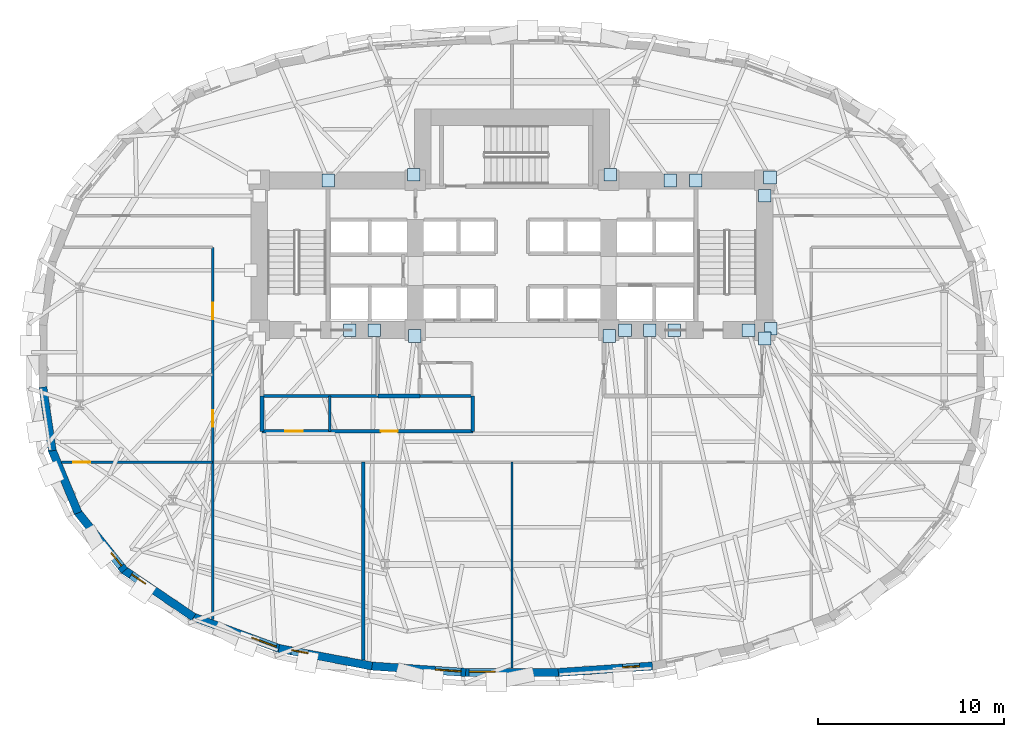
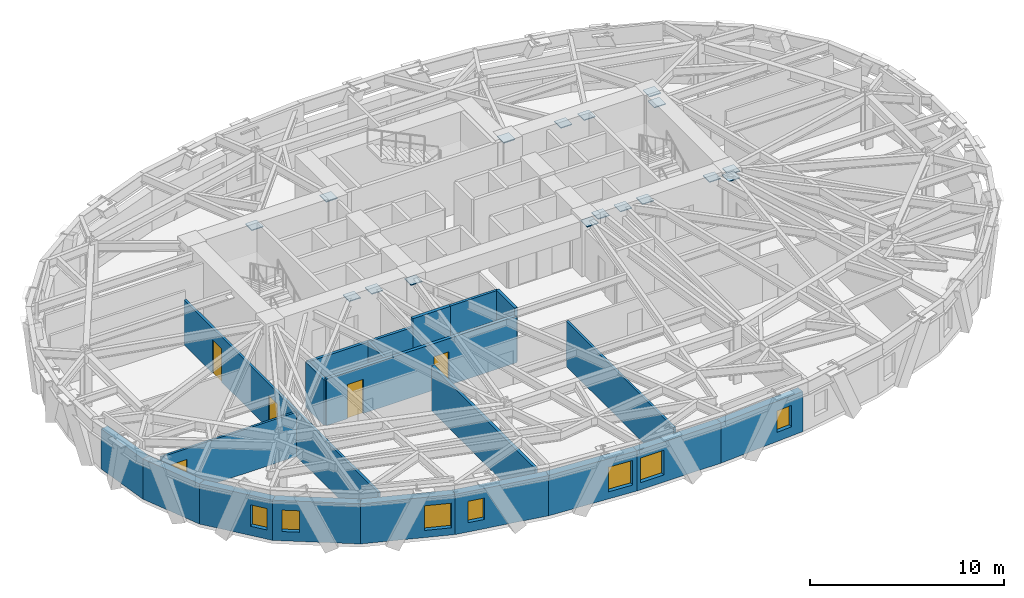
# One storey, part 5 of 13: 20 walls, 17 plates, 7 windows, 5 doors, 12 openings.
"""IFC4 building model written with IfcOpenShell, lengths in metres."""

from ifc_helpers import new_model, si_unit, direction, frame, frame_2d, origin, origin_2d, place, context, subcontext, project, spatial, rectangle, extrude, material, layer, layer_set, type_object, element, fill, save


model = new_model("IFC4")

# Units and contexts
model_context = context("Model", 3, precision=1e-05, world=origin(), true_north=direction((0.0, 1.0)))
body_context = subcontext(model_context, "Body", "Model", "MODEL_VIEW")
ifc_project = project(units=[si_unit("LENGTHUNIT", "METRE"), si_unit("AREAUNIT", "SQUARE_METRE"), si_unit("VOLUMEUNIT", "CUBIC_METRE"), si_unit("PLANEANGLEUNIT", "RADIAN"), si_unit("MASSUNIT", "GRAM", prefix="KILO")], contexts=[model_context])

# Site, building, storey
site_placement = place(None, origin())
site = spatial("IfcSite", under=ifc_project, at=site_placement, CompositionType="ELEMENT")
building_placement = place(site_placement, origin())
building = spatial("IfcBuilding", under=site, at=building_placement, Name="Keldmark Tower", CompositionType="ELEMENT")
storey_placement = place(building_placement, frame((0.0, 0.0, 30.60009765625)))
storey = spatial("IfcBuildingStorey", under=building, at=storey_placement, Name="L07", CompositionType="ELEMENT", Elevation=30.60009765625)

# Plates
ifc_material_1 = material(Name="Steel ASTM A572 Grade 50", Category="steel")
ifc_layer_1 = layer(ifc_material_1, 0.06005859375)
ifc_layer_set_1 = layer_set([ifc_layer_1], Name="Steel ASTM A572 Grade 50")
plate_type = type_object("IfcPlateType", Name="Belt Truss Kink Node Assembly KN01 60 mm", PredefinedType="USERDEFINED", material=ifc_layer_set_1)
for number, where, z_axis, x_axis, name in (
    (1, (13.91162109375, 1.473388671875, 3.09814453125), (0.0, 0.0, 1.0), (1.0, 0.0, 0.0), "L07 Core Wall Cast-In Embed Plate 155"),
    (2, (13.878173828125, 9.608154296875, 3.09814453125), (0.0, 0.0, 1.0), (1.0, 0.0, 0.0), "L07 Core Wall Cast-In Embed Plate 156"),
    (3, (5.28515625, 9.758544921875, 3.09814453125), (0.0, 0.0, 1.0), (1.0, 0.0, 0.0), "L07 Core Wall Cast-In Embed Plate 157"),
    (4, (-5.28515625, 9.758544921875, 3.09814453125), (0.0, 0.0, 1.0), (1.0, 0.0, 0.0), "L07 Core Wall Cast-In Embed Plate 158"),
    (5, (-5.24072265625, 1.08251953125, 3.09814453125), (0.0, 0.0, 1.0), (1.0, 0.0, 0.0), "L07 Core Wall Cast-In Embed Plate 161"),
    (6, (5.24072265625, 1.08251953125, 3.09814453125), (0.0, 0.0, 1.0), (1.0, 0.0, 0.0), "L07 Core Wall Cast-In Embed Plate 162"),
    (7, (13.60009765625, 0.949951171875, 3.10400390625), (0.0, 0.0, 1.0), (1.0, 0.0, 0.0), "L07 Core Wall Cast-In Embed Plate 165"),
    (8, (13.60009765625, 8.621337890625, 3.10400390625), (0.0, 0.0, 1.0), (1.0, 0.0, 0.0), "L07 Core Wall Cast-In Embed Plate 166"),
    (9, (9.892822265625, 9.449951171875, 3.10400390625), (0.0, 0.0, 1.0), (1.0, 0.0, 0.0), "L07 Core Wall Cast-In Embed Plate 167"),
    (10, (8.507080078125, 9.449951171875, 3.10400390625), (0.0, 0.0, 1.0), (1.0, 0.0, 0.0), "L07 Core Wall Cast-In Embed Plate 168"),
    (11, (-9.892822265625, 9.449951171875, 3.10400390625), (0.0, 0.0, 1.0), (1.0, 0.0, 0.0), "L07 Core Wall Cast-In Embed Plate 169"),
    (12, (-8.735595703125, 1.39990234375, 3.10400390625), (0.0, 0.0, 1.0), (1.0, 0.0, 0.0), "L07 Core Wall Cast-In Embed Plate 171"),
    (13, (-7.406982421875, 1.39990234375, 3.10400390625), (0.0, 0.0, 1.0), (1.0, 0.0, 0.0), "L07 Core Wall Cast-In Embed Plate 172"),
    (14, (7.406982421875, 1.39990234375, 3.10400390625), (0.0, 0.0, 1.0), (1.0, 0.0, 0.0), "L07 Core Wall Cast-In Embed Plate 173"),
    (15, (6.07861328125, 1.39990234375, 3.10400390625), (0.0, 0.0, 1.0), (1.0, 0.0, 0.0), "L07 Core Wall Cast-In Embed Plate 174"),
    (16, (8.735595703125, 1.39990234375, 3.10400390625), (0.0, 0.0, 1.0), (1.0, 0.0, 0.0), "L07 Core Wall Cast-In Embed Plate 175"),
    (17, (12.721435546875, 1.39990234375, 3.10400390625), (0.0, 0.0, 1.0), (1.0, 0.0, 0.0), "L07 Core Wall Cast-In Embed Plate 176"),
):
    element("IfcPlate", number, at=place(storey_placement, frame(where, z_axis=z_axis, x_axis=x_axis)), inside=storey, type_object=plate_type, Name=name, ObjectType="CAP PLATE", PredefinedType="USERDEFINED", context=body_context, shape_type="SweptSolid", body=[
        extrude(rectangle(XDim=0.679931640625, YDim=0.679931640625, at=origin_2d()), origin(), (0.0, 0.0, 1.0), 0.054931640625),
    ])

# Wall, openings, doors
ifc_material_2 = material(Name="Acoustic Double-Layer Gypsum Corridor Partition", Category="gypsum")
ifc_layer_2 = layer(ifc_material_2, 0.139892578125)
ifc_layer_set_2 = layer_set([ifc_layer_2], Name="Acoustic Double-Layer Gypsum Corridor Partition")
wall_type_1 = type_object("IfcWallType", Name="Acoustic Corridor Partition 140 mm", PredefinedType="PARTITIONING", material=ifc_layer_set_2)
wall_1_placement = place(storey_placement, frame((-16.10009765625, -14.1748046875, 0.0), z_axis=(0.0, 0.0, 1.0), x_axis=(0.0, 1.0, 0.0)))
wall_1 = element("IfcWall", 18, at=wall_1_placement, inside=storey, type_object=wall_type_1, Name="L07 Acoustic Corridor Partition 140 mm COR-W", PredefinedType="PARTITIONING", context=body_context, shape_type="SweptSolid", body=[
    extrude(rectangle(XDim=20.02490234375, YDim=0.139892578125, at=frame_2d((10.012451171875, 0.0))), origin(), (0.0, 0.0, 1.0), 2.8408203125),
])
opening_1_placement = place(wall_1_placement, frame((10.375244140625, 0.0, 0.0)))
opening_1 = element("IfcOpeningElement", 19, at=opening_1_placement, cuts=wall_1, Name="Opening D-IN090", PredefinedType="OPENING", context=body_context, shape_type="SweptSolid", body=[
    extrude(rectangle(XDim=0.89990234375, YDim=2.10009765625, at=frame_2d((0.449951171875, 1.050048828125))), frame((0.0, 0.079833984375, 0.0), z_axis=(0.0, -1.0, 0.0), x_axis=(1.0, 0.0, 0.0)), (0.0, 0.0, 1.0), 0.159912109375),
])
opening_2_placement = place(wall_1_placement, frame((16.150390625, 0.0, 0.0)))
opening_2 = element("IfcOpeningElement", 20, at=opening_2_placement, cuts=wall_1, Name="Opening D-IN090", PredefinedType="OPENING", context=body_context, shape_type="SweptSolid", body=[
    extrude(rectangle(XDim=0.89990234375, YDim=2.10009765625, at=frame_2d((0.449951171875, 1.050048828125))), frame((0.0, 0.079833984375, 0.0), z_axis=(0.0, -1.0, 0.0), x_axis=(1.0, 0.0, 0.0)), (0.0, 0.0, 1.0), 0.159912109375),
])
ifc_material_3 = material(Name="Stained American White Oak Veneer", Category="wood")
door_type_1 = type_object("IfcDoorType", Name="Interior Door 900x2100", OperationType="NOTDEFINED", PredefinedType="DOOR", material=ifc_material_3)
door_1_placement = place(opening_1_placement, origin())
door_1 = element("IfcDoor", 21, at=door_1_placement, inside=storey, type_object=door_type_1, Name="L07 Interior Door 900x2100 D-WR-1-L07", OperationType="SINGLE_SWING_LEFT", OverallHeight=2.10009765625, OverallWidth=0.89990234375, PredefinedType="DOOR", context=body_context, shape_type="SweptSolid", body=[
    extrude(rectangle(XDim=0.89990234375, YDim=2.10009765625, at=frame_2d((0.449951171875, 1.050048828125))), frame((0.0, 0.02490234375, 0.0), z_axis=(0.0, -1.0, 0.0), x_axis=(1.0, 0.0, 0.0)), (0.0, 0.0, 1.0), 0.050048828125),
])
fill(opening_1, door_1)
door_2_placement = place(opening_2_placement, origin())
door_2 = element("IfcDoor", 22, at=door_2_placement, inside=storey, type_object=door_type_1, Name="L07 Interior Door 900x2100 D-WR-2-L07", OperationType="SINGLE_SWING_RIGHT", OverallHeight=2.10009765625, OverallWidth=0.89990234375, PredefinedType="DOOR", context=body_context, shape_type="SweptSolid", body=[
    extrude(rectangle(XDim=0.89990234375, YDim=2.10009765625, at=frame_2d((0.449951171875, 1.050048828125))), frame((0.0, 0.02490234375, 0.0), z_axis=(0.0, -1.0, 0.0), x_axis=(1.0, 0.0, 0.0)), (0.0, 0.0, 1.0), 0.050048828125),
])
fill(opening_2, door_2)

# Wall
ifc_material_4 = material(Name="STC-58 Insulated Tenant Demising Gypsum Partition", Category="gypsum")
ifc_layer_3 = layer(ifc_material_4, 0.175048828125)
ifc_layer_set_3 = layer_set([ifc_layer_3], Name="STC-58 Insulated Tenant Demising Gypsum Partition")
wall_type_2 = type_object("IfcWallType", Name="Demising Suite Partition 175 mm", PredefinedType="PARTITIONING", material=ifc_layer_set_3)
wall_2_placement = place(storey_placement, frame((-8.0, -16.355224609375, 0.0), z_axis=(0.0, 0.0, 1.0), x_axis=(0.0, 1.0, 0.0)))
element("IfcWall", 23, at=wall_2_placement, inside=storey, type_object=wall_type_2, Name="L07 Demising Suite Partition 175 mm S-DIV-1", PredefinedType="PARTITIONING", context=body_context, shape_type="SweptSolid", body=[
    extrude(rectangle(XDim=10.6552734375, YDim=0.175048828125, at=frame_2d((5.32763671875, 0.0))), origin(), (0.0, 0.0, 1.0), 2.852783203125),
])

# Wall, openings, doors
ifc_material_5 = material(Name="Heavy Acoustic Plumbing Chase Gypsum Assembly", Category="gypsum")
ifc_layer_4 = layer(ifc_material_5, 0.18994140625)
ifc_layer_set_4 = layer_set([ifc_layer_4], Name="Heavy Acoustic Plumbing Chase Gypsum Assembly")
wall_type_3 = type_object("IfcWallType", Name="Heavy Wet Wall 190 mm", PredefinedType="PLUMBINGWALL", material=ifc_layer_set_4)
wall_3_placement = place(storey_placement, frame((-13.449951171875, -4.050048828125, 0.0), z_axis=(0.0, 0.0, 1.0), x_axis=(1.0, 0.0, 0.0)))
wall_3 = element("IfcWall", 24, at=wall_3_placement, inside=storey, type_object=wall_type_3, Name="L07 Heavy Wet Wall 190 mm SPK-W-S", PredefinedType="PLUMBINGWALL", context=body_context, shape_type="SweptSolid", body=[
    extrude(rectangle(XDim=11.349853515625, YDim=0.18994140625, at=frame_2d((5.6748046875, 0.0))), origin(), (0.0, 0.0, 1.0), 2.932861328125),
])
opening_3_placement = place(wall_3_placement, frame((1.25, 0.0, 0.0)))
opening_3 = element("IfcOpeningElement", 25, at=opening_3_placement, cuts=wall_3, Name="Opening D-AWC95", PredefinedType="OPENING", context=body_context, shape_type="SweptSolid", body=[
    extrude(rectangle(XDim=0.949951171875, YDim=2.14990234375, at=frame_2d((0.47509765625, 1.074951171875))), frame((0.0, 0.10498046875, 0.0), z_axis=(0.0, -1.0, 0.0), x_axis=(1.0, 0.0, 0.0)), (0.0, 0.0, 1.0), 0.2099609375),
])
opening_4_placement = place(wall_3_placement, frame((6.39990234375, 0.0, 0.0)))
opening_4 = element("IfcOpeningElement", 26, at=opening_4_placement, cuts=wall_3, Name="Opening D-IN090", PredefinedType="OPENING", context=body_context, shape_type="SweptSolid", body=[
    extrude(rectangle(XDim=0.89990234375, YDim=2.10009765625, at=frame_2d((0.449951171875, 1.050048828125))), frame((0.0, 0.10498046875, 0.0), z_axis=(0.0, -1.0, 0.0), x_axis=(1.0, 0.0, 0.0)), (0.0, 0.0, 1.0), 0.2099609375),
])
ifc_material_6 = material(Name="Painted Solid-Core Architectural Wood", Category="wood")
door_type_2 = type_object("IfcDoorType", Name="Accessible WC Door 950x2150", OperationType="NOTDEFINED", PredefinedType="DOOR", material=ifc_material_6)
door_3_placement = place(opening_3_placement, origin())
door_3 = element("IfcDoor", 27, at=door_3_placement, inside=storey, type_object=door_type_2, Name="L07 Accessible WC Door 950x2150 D-SPKW1-L07", OperationType="SINGLE_SWING_LEFT", OverallHeight=2.14990234375, OverallWidth=0.949951171875, PredefinedType="DOOR", context=body_context, shape_type="SweptSolid", body=[
    extrude(rectangle(XDim=0.949951171875, YDim=2.14990234375, at=frame_2d((0.47509765625, 1.074951171875))), frame((0.0, 0.02490234375, 0.0), z_axis=(0.0, -1.0, 0.0), x_axis=(1.0, 0.0, 0.0)), (0.0, 0.0, 1.0), 0.050048828125),
])
fill(opening_3, door_3)
door_4_placement = place(opening_4_placement, origin())
door_4 = element("IfcDoor", 28, at=door_4_placement, inside=storey, type_object=door_type_1, Name="L07 Interior Door 900x2100 D-SPKW2-L07", OperationType="SINGLE_SWING_RIGHT", OverallHeight=2.10009765625, OverallWidth=0.89990234375, PredefinedType="DOOR", context=body_context, shape_type="SweptSolid", body=[
    extrude(rectangle(XDim=0.89990234375, YDim=2.10009765625, at=frame_2d((0.449951171875, 1.050048828125))), frame((0.0, 0.02490234375, 0.0), z_axis=(0.0, -1.0, 0.0), x_axis=(1.0, 0.0, 0.0)), (0.0, 0.0, 1.0), 0.050048828125),
])
fill(opening_4, door_4)

# Walls
wall_4_placement = place(storey_placement, frame((-13.449951171875, -4.050048828125, 0.0), z_axis=(0.0, 0.0, 1.0), x_axis=(0.0, 1.0, 0.0)))
element("IfcWall", 29, at=wall_4_placement, inside=storey, type_object=wall_type_3, Name="L07 Heavy Wet Wall 190 mm SPK-W-W", PredefinedType="PLUMBINGWALL", context=body_context, shape_type="SweptSolid", body=[
    extrude(rectangle(XDim=1.900146484375, YDim=0.18994140625, at=frame_2d((0.9501953125, 0.0))), origin(), (0.0, 0.0, 1.0), 2.852783203125),
])
wall_5_placement = place(storey_placement, frame((-2.10009765625, -4.050048828125, 0.0), z_axis=(0.0, 0.0, 1.0), x_axis=(0.0, 1.0, 0.0)))
element("IfcWall", 30, at=wall_5_placement, inside=storey, type_object=wall_type_3, Name="L07 Heavy Wet Wall 190 mm SPK-W-E", PredefinedType="PLUMBINGWALL", context=body_context, shape_type="SweptSolid", body=[
    extrude(rectangle(XDim=1.900146484375, YDim=0.18994140625, at=frame_2d((0.9501953125, 0.0))), origin(), (0.0, 0.0, 1.0), 3.39990234375),
])
ifc_material_7 = material(Name="Acoustic Gypsum Board Interior Partition", Category="gypsum")
ifc_layer_5 = layer(ifc_material_7, 0.1298828125)
ifc_layer_set_5 = layer_set([ifc_layer_5], Name="Acoustic Gypsum Board Interior Partition")
wall_type_4 = type_object("IfcWallType", Name="Interior Partition 130 mm", PredefinedType="PARTITIONING", material=ifc_layer_set_5)
wall_6_placement = place(storey_placement, frame((0.0, -16.789794921875, 0.0), z_axis=(0.0, 0.0, 1.0), x_axis=(0.0, 1.0, 0.0)))
element("IfcWall", 31, at=wall_6_placement, inside=storey, type_object=wall_type_4, Name="L07 Interior Partition 130 mm S-DIV-2", PredefinedType="PARTITIONING", context=body_context, shape_type="SweptSolid", body=[
    extrude(rectangle(XDim=11.08984375, YDim=0.1298828125, at=frame_2d((5.544921875, 0.0))), origin(), (0.0, 0.0, 1.0), 2.852783203125),
])

# Wall, opening, door
wall_7_placement = place(storey_placement, frame((-24.227294921875, -5.699951171875, 0.0), z_axis=(0.0, 0.0, 1.0), x_axis=(1.0, 0.0, 0.0)))
wall_7 = element("IfcWall", 32, at=wall_7_placement, inside=storey, type_object=wall_type_4, Name="L07 Interior Partition 130 mm W-CAP-S", PredefinedType="PARTITIONING", context=body_context, shape_type="SweptSolid", body=[
    extrude(rectangle(XDim=8.127197265625, YDim=0.1298828125, at=frame_2d((4.0634765625, 0.0))), origin(), (0.0, 0.0, 1.0), 2.77880859375),
])
opening_5_placement = place(wall_7_placement, frame((0.6298828125, 0.0, 0.0)))
opening_5 = element("IfcOpeningElement", 33, at=opening_5_placement, cuts=wall_7, Name="Opening D-IN090", PredefinedType="OPENING", context=body_context, shape_type="SweptSolid", body=[
    extrude(rectangle(XDim=0.89990234375, YDim=2.10009765625, at=frame_2d((0.449951171875, 1.050048828125))), frame((0.0, 0.074951171875, 0.0), z_axis=(0.0, -1.0, 0.0), x_axis=(1.0, 0.0, 0.0)), (0.0, 0.0, 1.0), 0.14990234375),
])
door_5_placement = place(opening_5_placement, origin())
door_5 = element("IfcDoor", 34, at=door_5_placement, inside=storey, type_object=door_type_1, Name="L07 Interior Door 900x2100 D-WRSW-L07", OperationType="SINGLE_SWING_LEFT", OverallHeight=2.10009765625, OverallWidth=0.89990234375, PredefinedType="DOOR", context=body_context, shape_type="SweptSolid", body=[
    extrude(rectangle(XDim=0.89990234375, YDim=2.10009765625, at=frame_2d((0.449951171875, 1.050048828125))), frame((0.0, 0.02490234375, 0.0), z_axis=(0.0, -1.0, 0.0), x_axis=(1.0, 0.0, 0.0)), (0.0, 0.0, 1.0), 0.050048828125),
])
fill(opening_5, door_5)

# Walls
ifc_material_8 = material(Name="Type X Fire-Rated Gypsum Partition Assembly", Category="gypsum")
ifc_layer_6 = layer(ifc_material_8, 0.1650390625)
ifc_layer_set_6 = layer_set([ifc_layer_6], Name="Type X Fire-Rated Gypsum Partition Assembly")
wall_type_5 = type_object("IfcWallType", Name="Rated Partition 165 mm", PredefinedType="PARTITIONING", material=ifc_layer_set_6)
wall_8_placement = place(storey_placement, frame((-13.449951171875, -2.14990234375, 0.0), z_axis=(0.0, 0.0, 1.0), x_axis=(1.0, 0.0, 0.0)))
element("IfcWall", 35, at=wall_8_placement, inside=storey, type_object=wall_type_5, Name="L07 Rated Partition 165 mm FSAE-W-S", PredefinedType="PARTITIONING", context=body_context, shape_type="SweptSolid", body=[
    extrude(rectangle(XDim=6.25, YDim=0.1650390625, at=frame_2d((3.125, 0.0))), origin(), (0.0, 0.0, 1.0), 2.852783203125),
])
ifc_material_9 = material(Name="Fire-Resistant Type X Gypsum Shaftliner Coreboard", Category="gypsum")
ifc_layer_7 = layer(ifc_material_9, 0.199951171875)
ifc_layer_set_7 = layer_set([ifc_layer_7], Name="Fire-Resistant Type X Gypsum Shaftliner Coreboard")
wall_type_6 = type_object("IfcWallType", Name="Shaft Wall 200 mm", PredefinedType="SOLIDWALL", material=ifc_layer_set_7)
wall_9_placement = place(storey_placement, frame((-7.199951171875, -2.14990234375, 0.0), z_axis=(0.0, 0.0, 1.0), x_axis=(1.0, 0.0, 0.0)))
element("IfcWall", 36, at=wall_9_placement, inside=storey, type_object=wall_type_6, Name="L07 Shaft Wall 200 mm RIS-SW-S", PredefinedType="SOLIDWALL", context=body_context, shape_type="SweptSolid", body=[
    extrude(rectangle(XDim=2.25, YDim=0.199951171875, at=frame_2d((1.125, 0.0))), origin(), (0.0, 0.0, 1.0), 3.39990234375),
])
ifc_material_10 = material(Name="Ironspot Manganese Brick and Kasota Buff Limestone Spandrel Assembly", Category="masonry")
ifc_layer_8 = layer(ifc_material_10, 0.43994140625)
ifc_layer_set_8 = layer_set([ifc_layer_8], Name="Ironspot Manganese Brick and Kasota Buff Limestone Spandrel Assembly")
wall_type_7 = type_object("IfcWallType", Name="Tower Brick Pier and Spandrel Wall 440 mm", PredefinedType="STANDARD", material=ifc_layer_set_8)
wall_10_placement = place(storey_placement, frame((-24.732421875, -5.09228515625, 0.0), z_axis=(0.0, 0.0, 1.0), x_axis=(-0.147003256829, 0.989136008081, 0.0)))
element("IfcWall", 37, at=wall_10_placement, inside=storey, type_object=wall_type_7, Name="L07 Exterior Brick and Spandrel Wall 17", PredefinedType="STANDARD", context=body_context, shape_type="SweptSolid", body=[
    extrude(rectangle(XDim=3.46435546875, YDim=0.43994140625, at=frame_2d((1.732177734375, 0.0))), origin(), (0.0, 0.0, 1.0), 2.532958984375),
])
wall_11_placement = place(storey_placement, frame((-23.3427734375, -8.4375, 0.0), z_axis=(0.0, 0.0, 1.0), x_axis=(-0.381925438614, 0.92419313963, 0.0)))
element("IfcWall", 38, at=wall_11_placement, inside=storey, type_object=wall_type_7, Name="L07 Exterior Brick and Spandrel Wall 18", PredefinedType="STANDARD", context=body_context, shape_type="SweptSolid", body=[
    extrude(rectangle(XDim=3.675537109375, YDim=0.43994140625, at=frame_2d((1.837890625, 0.0))), origin(), (0.0, 0.0, 1.0), 2.532958984375),
])

# Wall, opening, window
wall_12_placement = place(storey_placement, frame((-20.845703125, -11.541015625, 0.0), z_axis=(0.0, 0.0, 1.0), x_axis=(-0.625180729177, 0.780480016314, 0.0)))
wall_12 = element("IfcWall", 39, at=wall_12_placement, inside=storey, type_object=wall_type_7, Name="L07 Exterior Brick and Spandrel Wall 19", PredefinedType="STANDARD", context=body_context, shape_type="SweptSolid", body=[
    extrude(rectangle(XDim=4.044921875, YDim=0.43994140625, at=frame_2d((2.0224609375, 0.0))), origin(), (0.0, 0.0, 1.0), 2.532958984375),
])
opening_6_placement = place(wall_12_placement, frame((0.2998046875, 0.0, 0.580078125)))
opening_6 = element("IfcOpeningElement", 40, at=opening_6_placement, cuts=wall_12, Name="Opening W-09", PredefinedType="OPENING", context=body_context, shape_type="SweptSolid", body=[
    extrude(rectangle(XDim=0.89990234375, YDim=1.35009765625, at=frame_2d((0.449951171875, 0.675048828125))), frame((0.0, 0.22998046875, 0.0), z_axis=(0.0, -1.0, 0.0), x_axis=(1.0, 0.0, 0.0)), (0.0, 0.0, 1.0), 0.4599609375),
])
ifc_material_11 = material(Name="Thermally Broken Anodized Aluminum and Triple Low-E Argon Glazing", Category="aluminium")
window_type_1 = type_object("IfcWindowType", Name="Corner Pier Deep-Set Window 900x1350", PartitioningType="SINGLE_PANEL", PredefinedType="WINDOW", material=ifc_material_11)
window_1_placement = place(opening_6_placement, origin())
window_1 = element("IfcWindow", 41, at=window_1_placement, inside=storey, type_object=window_type_1, Name="L07 Deep-Set Window 19", OverallHeight=1.35009765625, OverallWidth=0.89990234375, PartitioningType="SINGLE_PANEL", PredefinedType="WINDOW", context=body_context, shape_type="SweptSolid", body=[
    extrude(rectangle(XDim=0.89990234375, YDim=1.35009765625, at=frame_2d((0.449951171875, 0.675048828125))), frame((0.0, -0.010009765625, 0.0), z_axis=(0.0, -1.0, 0.0), x_axis=(1.0, 0.0, 0.0)), (0.0, 0.0, 1.0), 0.06005859375),
])
fill(opening_6, window_1)

wall_13_placement = place(storey_placement, frame((-17.125244140625, -14.048095703125, 0.0), z_axis=(0.0, 0.0, 1.0), x_axis=(-0.828051238664, 0.560652429003, 0.0)))
wall_13 = element("IfcWall", 42, at=wall_13_placement, inside=storey, type_object=wall_type_7, Name="L07 Exterior Brick and Spandrel Wall 20", PredefinedType="STANDARD", context=body_context, shape_type="SweptSolid", body=[
    extrude(rectangle(XDim=4.551513671875, YDim=0.43994140625, at=frame_2d((2.27587890625, 0.0))), origin(), (0.0, 0.0, 1.0), 2.532958984375),
])
opening_7_placement = place(wall_13_placement, frame((3.156005859375, 0.0, 0.580078125)))
opening_7 = element("IfcOpeningElement", 43, at=opening_7_placement, cuts=wall_13, Name="Opening W-09", PredefinedType="OPENING", context=body_context, shape_type="SweptSolid", body=[
    extrude(rectangle(XDim=0.89990234375, YDim=1.35009765625, at=frame_2d((0.449951171875, 0.675048828125))), frame((0.0, 0.22998046875, 0.0), z_axis=(0.0, -1.0, 0.0), x_axis=(1.0, 0.0, 0.0)), (0.0, 0.0, 1.0), 0.4599609375),
])
window_2_placement = place(opening_7_placement, origin())
window_2 = element("IfcWindow", 44, at=window_2_placement, inside=storey, type_object=window_type_1, Name="L07 Deep-Set Window 20", OverallHeight=1.35009765625, OverallWidth=0.89990234375, PartitioningType="SINGLE_PANEL", PredefinedType="WINDOW", context=body_context, shape_type="SweptSolid", body=[
    extrude(rectangle(XDim=0.89990234375, YDim=1.35009765625, at=frame_2d((0.449951171875, 0.675048828125))), frame((0.0, -0.010009765625, 0.0), z_axis=(0.0, -1.0, 0.0), x_axis=(1.0, 0.0, 0.0)), (0.0, 0.0, 1.0), 0.06005859375),
])
fill(opening_7, window_2)

wall_14_placement = place(storey_placement, frame((-12.510009765625, -15.736083984375, 0.0), z_axis=(0.0, 0.0, 1.0), x_axis=(-0.938710986641, 0.344705212552, 0.0)))
wall_14 = element("IfcWall", 45, at=wall_14_placement, inside=storey, type_object=wall_type_7, Name="L07 Exterior Brick and Spandrel Wall 21", PredefinedType="STANDARD", context=body_context, shape_type="SweptSolid", body=[
    extrude(rectangle(XDim=4.967041015625, YDim=0.43994140625, at=frame_2d((2.4833984375, 0.0))), origin(), (0.0, 0.0, 1.0), 2.52880859375),
])
opening_8_placement = place(wall_14_placement, frame((0.199951171875, 0.0, 0.449951171875)))
opening_8 = element("IfcOpeningElement", 46, at=opening_8_placement, cuts=wall_14, Name="Opening W-08", PredefinedType="OPENING", context=body_context, shape_type="SweptSolid", body=[
    extrude(rectangle(XDim=1.39990234375, YDim=1.550048828125, at=frame_2d((0.699951171875, 0.77490234375))), frame((0.0, 0.22998046875, 0.0), z_axis=(0.0, -1.0, 0.0), x_axis=(1.0, 0.0, 0.0)), (0.0, 0.0, 1.0), 0.4599609375),
])
ifc_material_12 = material(Name="Thermally Broken Anodized Aluminum and Triple Low-E Argon Glazing", Category="aluminium")
window_type_2 = type_object("IfcWindowType", Name="Residential Corner Punched Window 1400x1550", PartitioningType="SINGLE_PANEL", PredefinedType="WINDOW", material=ifc_material_12)
window_3_placement = place(opening_8_placement, origin())
window_3 = element("IfcWindow", 47, at=window_3_placement, inside=storey, type_object=window_type_2, Name="L07 Deep-Set Window 21", OverallHeight=1.550048828125, OverallWidth=1.39990234375, PartitioningType="SINGLE_PANEL", PredefinedType="WINDOW", context=body_context, shape_type="SweptSolid", body=[
    extrude(rectangle(XDim=1.39990234375, YDim=1.550048828125, at=frame_2d((0.699951171875, 0.77490234375))), frame((0.0, -0.010009765625, 0.0), z_axis=(0.0, -1.0, 0.0), x_axis=(1.0, 0.0, 0.0)), (0.0, 0.0, 1.0), 0.06005859375),
])
fill(opening_8, window_3)

wall_15_placement = place(storey_placement, frame((-7.527587890625, -16.677001953125, 0.0), z_axis=(0.0, 0.0, 1.0), x_axis=(-0.982516391845, 0.186176098776, 0.0)))
wall_15 = element("IfcWall", 48, at=wall_15_placement, inside=storey, type_object=wall_type_7, Name="L07 Exterior Brick and Spandrel Wall 22", PredefinedType="STANDARD", context=body_context, shape_type="SweptSolid", body=[
    extrude(rectangle(XDim=5.1064453125, YDim=0.43994140625, at=frame_2d((2.55322265625, 0.0))), origin(), (0.0, 0.0, 1.0), 2.532958984375),
])
opening_9_placement = place(wall_15_placement, frame((3.51220703125, 0.0, 0.580078125)))
opening_9 = element("IfcOpeningElement", 49, at=opening_9_placement, cuts=wall_15, Name="Opening W-09", PredefinedType="OPENING", context=body_context, shape_type="SweptSolid", body=[
    extrude(rectangle(XDim=0.89990234375, YDim=1.35009765625, at=frame_2d((0.449951171875, 0.675048828125))), frame((0.0, 0.22998046875, 0.0), z_axis=(0.0, -1.0, 0.0), x_axis=(1.0, 0.0, 0.0)), (0.0, 0.0, 1.0), 0.4599609375),
])
window_4_placement = place(opening_9_placement, origin())
window_4 = element("IfcWindow", 50, at=window_4_placement, inside=storey, type_object=window_type_1, Name="L07 Deep-Set Window 22", OverallHeight=1.35009765625, OverallWidth=0.89990234375, PartitioningType="SINGLE_PANEL", PredefinedType="WINDOW", context=body_context, shape_type="SweptSolid", body=[
    extrude(rectangle(XDim=0.89990234375, YDim=1.35009765625, at=frame_2d((0.449951171875, 0.675048828125))), frame((0.0, -0.010009765625, 0.0), z_axis=(0.0, -1.0, 0.0), x_axis=(1.0, 0.0, 0.0)), (0.0, 0.0, 1.0), 0.06005859375),
])
fill(opening_9, window_4)

wall_16_placement = place(storey_placement, frame((-2.492431640625, -17.018310546875, 0.0), z_axis=(0.0, 0.0, 1.0), x_axis=(-0.997688292846, 0.067956385408, 0.0)))
wall_16 = element("IfcWall", 51, at=wall_16_placement, inside=storey, type_object=wall_type_7, Name="L07 Exterior Brick and Spandrel Wall 23", PredefinedType="STANDARD", context=body_context, shape_type="SweptSolid", body=[
    extrude(rectangle(XDim=5.07275390625, YDim=0.43994140625, at=frame_2d((2.536376953125, 0.0))), origin(), (0.0, 0.0, 1.0), 2.532958984375),
])
opening_10_placement = place(wall_16_placement, frame((0.24951171875, 0.0, 0.449951171875)))
opening_10 = element("IfcOpeningElement", 52, at=opening_10_placement, cuts=wall_16, Name="Opening W-08", PredefinedType="OPENING", context=body_context, shape_type="SweptSolid", body=[
    extrude(rectangle(XDim=1.39990234375, YDim=1.550048828125, at=frame_2d((0.699951171875, 0.77490234375))), frame((0.0, 0.22998046875, 0.0), z_axis=(0.0, -1.0, 0.0), x_axis=(1.0, 0.0, 0.0)), (0.0, 0.0, 1.0), 0.4599609375),
])
window_5_placement = place(opening_10_placement, origin())
window_5 = element("IfcWindow", 53, at=window_5_placement, inside=storey, type_object=window_type_2, Name="L07 Deep-Set Window 23", OverallHeight=1.550048828125, OverallWidth=1.39990234375, PartitioningType="SINGLE_PANEL", PredefinedType="WINDOW", context=body_context, shape_type="SweptSolid", body=[
    extrude(rectangle(XDim=1.39990234375, YDim=1.550048828125, at=frame_2d((0.699951171875, 0.77490234375))), frame((0.0, -0.010009765625, 0.0), z_axis=(0.0, -1.0, 0.0), x_axis=(1.0, 0.0, 0.0)), (0.0, 0.0, 1.0), 0.06005859375),
])
fill(opening_10, window_5)

wall_17_placement = place(storey_placement, frame((2.507568359375, -17.017822265625, 0.0), z_axis=(0.0, 0.0, 1.0), x_axis=(-1.0, 0.0, 0.0)))
wall_17 = element("IfcWall", 54, at=wall_17_placement, inside=storey, type_object=wall_type_7, Name="L07 Exterior Brick and Spandrel Wall 24", PredefinedType="STANDARD", context=body_context, shape_type="SweptSolid", body=[
    extrude(rectangle(XDim=5.01513671875, YDim=0.43994140625, at=frame_2d((2.507568359375, 0.0))), origin(), (0.0, 0.0, 1.0), 2.532958984375),
])
opening_11_placement = place(wall_17_placement, frame((3.4150390625, 0.0, 0.449951171875)))
opening_11 = element("IfcOpeningElement", 55, at=opening_11_placement, cuts=wall_17, Name="Opening W-08", PredefinedType="OPENING", context=body_context, shape_type="SweptSolid", body=[
    extrude(rectangle(XDim=1.39990234375, YDim=1.550048828125, at=frame_2d((0.699951171875, 0.77490234375))), frame((0.0, 0.22998046875, 0.0), z_axis=(0.0, -1.0, 0.0), x_axis=(1.0, 0.0, 0.0)), (0.0, 0.0, 1.0), 0.4599609375),
])
window_6_placement = place(opening_11_placement, origin())
window_6 = element("IfcWindow", 56, at=window_6_placement, inside=storey, type_object=window_type_2, Name="L07 Deep-Set Window 24", OverallHeight=1.550048828125, OverallWidth=1.39990234375, PartitioningType="SINGLE_PANEL", PredefinedType="WINDOW", context=body_context, shape_type="SweptSolid", body=[
    extrude(rectangle(XDim=1.39990234375, YDim=1.550048828125, at=frame_2d((0.699951171875, 0.77490234375))), frame((0.0, -0.010009765625, 0.0), z_axis=(0.0, -1.0, 0.0), x_axis=(1.0, 0.0, 0.0)), (0.0, 0.0, 1.0), 0.06005859375),
])
fill(opening_11, window_6)

wall_18_placement = place(storey_placement, frame((7.553466796875, -16.673583984375, 0.0), z_axis=(0.0, 0.0, 1.0), x_axis=(-0.997688292846, -0.067956385408, 0.0)))
wall_18 = element("IfcWall", 57, at=wall_18_placement, inside=storey, type_object=wall_type_7, Name="L07 Exterior Brick and Spandrel Wall 25", PredefinedType="STANDARD", context=body_context, shape_type="SweptSolid", body=[
    extrude(rectangle(XDim=5.07275390625, YDim=0.43994140625, at=frame_2d((2.536376953125, 0.0))), origin(), (0.0, 0.0, 1.0), 2.532958984375),
])
opening_12_placement = place(wall_18_placement, frame((0.6962890625, 0.0, 0.580078125)))
opening_12 = element("IfcOpeningElement", 58, at=opening_12_placement, cuts=wall_18, Name="Opening W-09", PredefinedType="OPENING", context=body_context, shape_type="SweptSolid", body=[
    extrude(rectangle(XDim=0.89990234375, YDim=1.35009765625, at=frame_2d((0.449951171875, 0.675048828125))), frame((0.0, 0.22998046875, 0.0), z_axis=(0.0, -1.0, 0.0), x_axis=(1.0, 0.0, 0.0)), (0.0, 0.0, 1.0), 0.4599609375),
])
window_7_placement = place(opening_12_placement, origin())
window_7 = element("IfcWindow", 59, at=window_7_placement, inside=storey, type_object=window_type_1, Name="L07 Deep-Set Window 25", OverallHeight=1.35009765625, OverallWidth=0.89990234375, PartitioningType="SINGLE_PANEL", PredefinedType="WINDOW", context=body_context, shape_type="SweptSolid", body=[
    extrude(rectangle(XDim=0.89990234375, YDim=1.35009765625, at=frame_2d((0.449951171875, 0.675048828125))), frame((0.0, -0.010009765625, 0.0), z_axis=(0.0, -1.0, 0.0), x_axis=(1.0, 0.0, 0.0)), (0.0, 0.0, 1.0), 0.06005859375),
])
fill(opening_12, window_7)

# Walls
ifc_material_13 = material(Name="Moisture-Resistant Gypsum Plumbing Partition", Category="gypsum")
ifc_layer_9 = layer(ifc_material_13, 0.14990234375)
ifc_layer_set_9 = layer_set([ifc_layer_9], Name="Moisture-Resistant Gypsum Plumbing Partition")
wall_type_8 = type_object("IfcWallType", Name="Wet Wall 150 mm", PredefinedType="PLUMBINGWALL", material=ifc_layer_set_9)
wall_19_placement = place(storey_placement, frame((-4.949951171875, -2.14990234375, 0.0), z_axis=(0.0, 0.0, 1.0), x_axis=(1.0, 0.0, 0.0)))
element("IfcWall", 60, at=wall_19_placement, inside=storey, type_object=wall_type_8, Name="L07 Wet Wall 150 mm SPK-W-N", PredefinedType="PLUMBINGWALL", context=body_context, shape_type="SweptSolid", body=[
    extrude(rectangle(XDim=2.849853515625, YDim=0.14990234375, at=frame_2d((1.4248046875, 0.0))), origin(), (0.0, 0.0, 1.0), 3.39990234375),
])
wall_20_placement = place(storey_placement, frame((-9.800048828125, -4.050048828125, 0.0), z_axis=(0.0, 0.0, 1.0), x_axis=(0.0, 1.0, 0.0)))
element("IfcWall", 61, at=wall_20_placement, inside=storey, type_object=wall_type_8, Name="L07 Wet Wall 150 mm SPK-W-D1", PredefinedType="PLUMBINGWALL", context=body_context, shape_type="SweptSolid", body=[
    extrude(rectangle(XDim=1.900146484375, YDim=0.14990234375, at=frame_2d((0.9501953125, 0.0))), origin(), (0.0, 0.0, 1.0), 2.852783203125),
])

save(model, "model.ifc")
